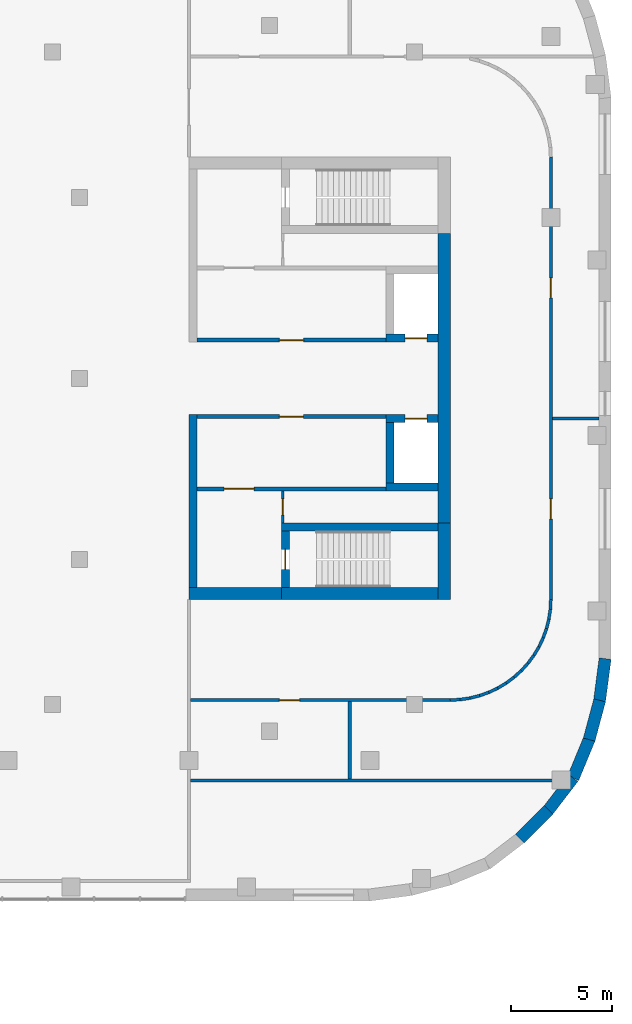
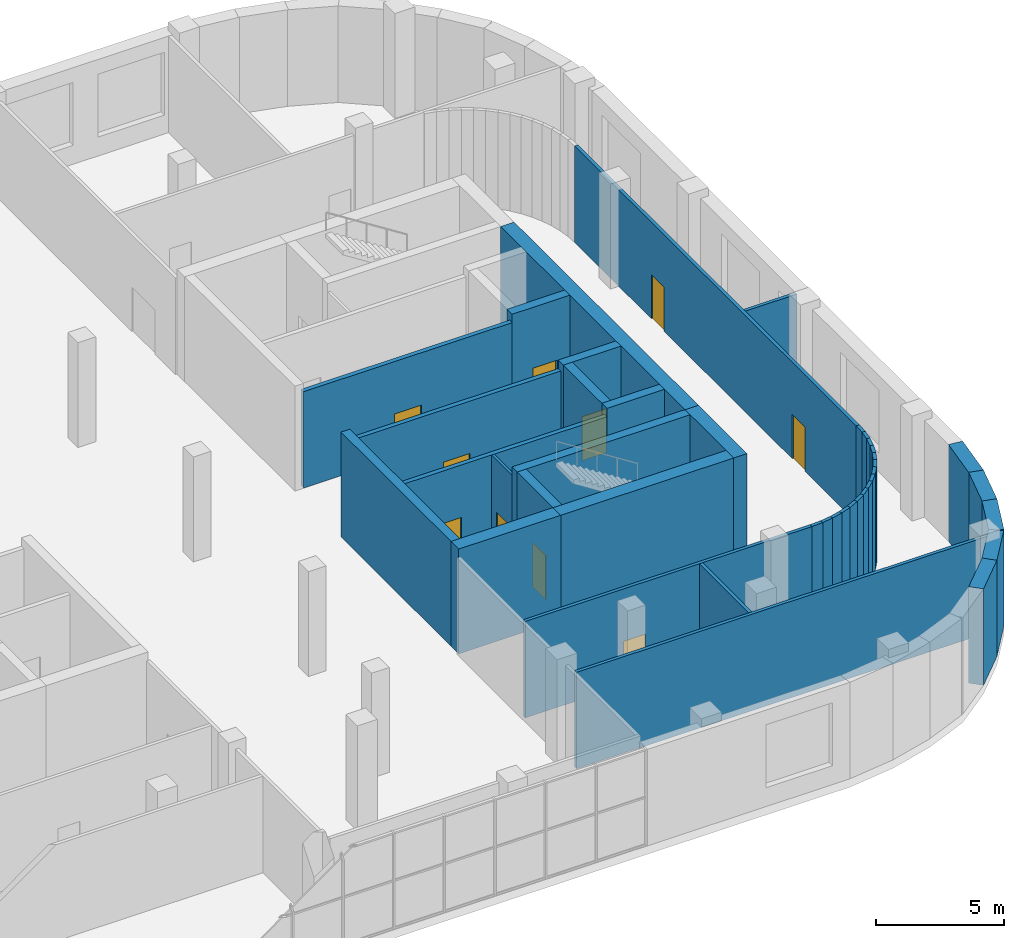
# One storey, part 20 of 25: 41 walls, 10 doors, 10 openings.
"""IFC4 building model written with IfcOpenShell, lengths in metres."""

from ifc_helpers import new_model, si_unit, direction, frame, frame_2d, origin, place, context, subcontext, project, spatial, rectangle, extrude, material, layer, layer_set, type_object, element, fill, save


model = new_model("IFC4")

# Units and contexts
model_context = context("Model", 3, precision=1e-05, world=origin(), true_north=direction((0.0, 1.0)))
body_context = subcontext(model_context, "Body", "Model", "MODEL_VIEW")
ifc_project = project(units=[si_unit("LENGTHUNIT", "METRE"), si_unit("AREAUNIT", "SQUARE_METRE"), si_unit("VOLUMEUNIT", "CUBIC_METRE"), si_unit("PLANEANGLEUNIT", "RADIAN"), si_unit("MASSUNIT", "GRAM", prefix="KILO")], contexts=[model_context])

# Site, building, storey
site_placement = place(None, origin())
site = spatial("IfcSite", under=ifc_project, at=site_placement, CompositionType="ELEMENT")
building_placement = place(site_placement, origin())
building = spatial("IfcBuilding", under=site, at=building_placement, Name="Skarvind Civic Tower", CompositionType="ELEMENT")
storey_placement = place(building_placement, frame((0.0, 0.0, 7.5)))
storey = spatial("IfcBuildingStorey", under=building, at=storey_placement, Name="L01", CompositionType="ELEMENT", Elevation=7.5)

# Wall, opening, door
ifc_material_1 = material(Name="Fire-rated masonry partition", Category="masonry")
ifc_layer_1 = layer(ifc_material_1, 0.199951171875)
ifc_layer_set_1 = layer_set([ifc_layer_1], Name="Core enclosure wall 200")
wall_type_1 = type_object("IfcWallType", Name="Core enclosure wall 200", PredefinedType="PARTITIONING", material=ifc_layer_set_1)
wall_1_placement = place(storey_placement, frame((163.800048828125, 126.10009765625, 0.0), z_axis=(0.0, 0.0, 1.0), x_axis=(-1.0, 0.0, 0.0)))
wall_1 = element("IfcWall", 1, at=wall_1_placement, inside=storey, type_object=wall_type_1, Name="Core wall CB", PredefinedType="PARTITIONING", context=body_context, shape_type="SweptSolid", body=[
    extrude(rectangle(XDim=9.400146484375, YDim=0.199951171875, at=frame_2d((4.7001953125, 0.0))), origin(), (0.0, 0.0, 1.0), 4.60009765625),
])
opening_1_placement = place(wall_1_placement, frame((4.10009765625, 0.0, 0.0)))
opening_1 = element("IfcOpeningElement", 2, at=opening_1_placement, cuts=wall_1, Name="Opening D-L01-CB-03", PredefinedType="OPENING", context=body_context, shape_type="SweptSolid", body=[
    extrude(rectangle(XDim=1.199951171875, YDim=2.10009765625, at=frame_2d((0.60009765625, 1.050048828125))), frame((0.0, 0.10986328125, 0.0), z_axis=(0.0, -1.0, 0.0), x_axis=(1.0, 0.0, 0.0)), (0.0, 0.0, 1.0), 0.219970703125),
])
ifc_material_2 = material(Name="Fire-rated steel door", Category="steel")
door_type_1 = type_object("IfcDoorType", Name="Core lobby door 1200", OperationType="NOTDEFINED", PredefinedType="DOOR", material=ifc_material_2)
door_1_placement = place(opening_1_placement, origin())
door_1 = element("IfcDoor", 3, at=door_1_placement, inside=storey, type_object=door_type_1, Name="Fire door", OperationType="DOUBLE_DOOR_SINGLE_SWING", OverallHeight=2.10009765625, OverallWidth=1.199951171875, PredefinedType="DOOR", context=body_context, shape_type="SweptSolid", body=[
    extrude(rectangle(XDim=1.199951171875, YDim=2.10009765625, at=frame_2d((0.60009765625, 1.050048828125))), frame((0.0, 0.02490234375, 0.0), z_axis=(0.0, -1.0, 0.0), x_axis=(1.0, 0.0, 0.0)), (0.0, 0.0, 1.0), 0.050048828125),
])
fill(opening_1, door_1)

wall_2_placement = place(storey_placement, frame((163.800048828125, 122.5, 0.0), z_axis=(0.0, 0.0, 1.0), x_axis=(-1.0, 0.0, 0.0)))
wall_2 = element("IfcWall", 4, at=wall_2_placement, inside=storey, type_object=wall_type_1, Name="Core wall CB", PredefinedType="PARTITIONING", context=body_context, shape_type="SweptSolid", body=[
    extrude(rectangle(XDim=9.400146484375, YDim=0.199951171875, at=frame_2d((4.7001953125, 0.0))), origin(), (0.0, 0.0, 1.0), 4.60009765625),
])
opening_2_placement = place(wall_2_placement, frame((6.550048828125, 0.0, 0.0)))
opening_2 = element("IfcOpeningElement", 5, at=opening_2_placement, cuts=wall_2, Name="Opening D-L01-CB-04", PredefinedType="OPENING", context=body_context, shape_type="SweptSolid", body=[
    extrude(rectangle(XDim=1.5, YDim=2.10009765625, at=frame_2d((0.75, 1.050048828125))), frame((0.0, 0.10986328125, 0.0), z_axis=(0.0, -1.0, 0.0), x_axis=(1.0, 0.0, 0.0)), (0.0, 0.0, 1.0), 0.219970703125),
])
door_type_2 = type_object("IfcDoorType", Name="Fire door 1500", OperationType="NOTDEFINED", PredefinedType="DOOR", material=ifc_material_2)
door_2_placement = place(opening_2_placement, origin())
door_2 = element("IfcDoor", 6, at=door_2_placement, inside=storey, type_object=door_type_2, Name="Fire door", OperationType="DOUBLE_DOOR_SINGLE_SWING", OverallHeight=2.10009765625, OverallWidth=1.5, PredefinedType="DOOR", context=body_context, shape_type="SweptSolid", body=[
    extrude(rectangle(XDim=1.5, YDim=2.10009765625, at=frame_2d((0.75, 1.050048828125))), frame((0.0, 0.02490234375, 0.0), z_axis=(0.0, -1.0, 0.0), x_axis=(1.0, 0.0, 0.0)), (0.0, 0.0, 1.0), 0.050048828125),
])
fill(opening_2, door_2)

wall_3_placement = place(storey_placement, frame((154.39990234375, 129.89990234375, 0.0), z_axis=(0.0, 0.0, 1.0), x_axis=(1.0, 0.0, 0.0)))
wall_3 = element("IfcWall", 7, at=wall_3_placement, inside=storey, type_object=wall_type_1, Name="Core wall CB", PredefinedType="PARTITIONING", context=body_context, shape_type="SweptSolid", body=[
    extrude(rectangle(XDim=9.400146484375, YDim=0.199951171875, at=frame_2d((4.7001953125, 0.0))), origin(), (0.0, 0.0, 1.0), 4.60009765625),
])
opening_3_placement = place(wall_3_placement, frame((4.10009765625, 0.0, 0.0)))
opening_3 = element("IfcOpeningElement", 8, at=opening_3_placement, cuts=wall_3, Name="Opening D-L01-CB-07", PredefinedType="OPENING", context=body_context, shape_type="SweptSolid", body=[
    extrude(rectangle(XDim=1.199951171875, YDim=2.10009765625, at=frame_2d((0.60009765625, 1.050048828125))), frame((0.0, 0.10986328125, 0.0), z_axis=(0.0, -1.0, 0.0), x_axis=(1.0, 0.0, 0.0)), (0.0, 0.0, 1.0), 0.219970703125),
])
door_3_placement = place(opening_3_placement, origin())
door_3 = element("IfcDoor", 9, at=door_3_placement, inside=storey, type_object=door_type_1, Name="Fire door", OperationType="DOUBLE_DOOR_SINGLE_SWING", OverallHeight=2.10009765625, OverallWidth=1.199951171875, PredefinedType="DOOR", context=body_context, shape_type="SweptSolid", body=[
    extrude(rectangle(XDim=1.199951171875, YDim=2.10009765625, at=frame_2d((0.60009765625, 1.050048828125))), frame((0.0, 0.02490234375, 0.0), z_axis=(0.0, -1.0, 0.0), x_axis=(1.0, 0.0, 0.0)), (0.0, 0.0, 1.0), 0.050048828125),
])
fill(opening_3, door_3)

# Wall
ifc_material_3 = material(Name="Concrete C80", Category="concrete")
ifc_layer_2 = layer(ifc_material_3, 0.39990234375)
ifc_layer_set_2 = layer_set([ifc_layer_2], Name="Core wall 400 C80")
wall_type_2 = type_object("IfcWallType", Name="Core wall 400 C80", PredefinedType="SHEAR", material=ifc_layer_set_2)
wall_4_placement = place(storey_placement, frame((166.39990234375, 120.60009765625, 0.0), z_axis=(0.0, 0.0, 1.0), x_axis=(-1.0, 0.0, 0.0)))
element("IfcWall", 10, at=wall_4_placement, inside=storey, type_object=wall_type_2, Name="Core wall CB north stair inner L01", PredefinedType="SHEAR", context=body_context, shape_type="SweptSolid", body=[
    extrude(rectangle(XDim=7.7998046875, YDim=0.39990234375, at=frame_2d((3.89990234375, 0.0))), origin(), (0.0, 0.0, 1.0), 5.0),
])

# Wall, opening, door
wall_5_placement = place(storey_placement, frame((158.800048828125, 120.39990234375, 0.0), z_axis=(0.0, 0.0, 1.0), x_axis=(0.0, -1.0, 0.0)))
wall_5 = element("IfcWall", 11, at=wall_5_placement, inside=storey, type_object=wall_type_2, Name="Core wall CB north stair end L01", PredefinedType="SHEAR", context=body_context, shape_type="SweptSolid", body=[
    extrude(rectangle(XDim=2.7998046875, YDim=0.39990234375, at=frame_2d((1.39990234375, 0.0))), origin(), (0.0, 0.0, 1.0), 5.0),
])
opening_4_placement = place(wall_5_placement, frame((0.89990234375, 0.0, 0.0)))
opening_4 = element("IfcOpeningElement", 12, at=opening_4_placement, cuts=wall_5, Name="Opening D-L01-CB-05", PredefinedType="OPENING", context=body_context, shape_type="SweptSolid", body=[
    extrude(rectangle(XDim=1.0, YDim=2.10009765625, at=frame_2d((0.5, 1.050048828125))), frame((0.0, 0.2099609375, 0.0), z_axis=(0.0, -1.0, 0.0), x_axis=(1.0, 0.0, 0.0)), (0.0, 0.0, 1.0), 0.419921875),
])
door_type_3 = type_object("IfcDoorType", Name="Fire door 1000", OperationType="NOTDEFINED", PredefinedType="DOOR", material=ifc_material_2)
door_4_placement = place(opening_4_placement, origin())
door_4 = element("IfcDoor", 13, at=door_4_placement, inside=storey, type_object=door_type_3, Name="Fire door", OperationType="SINGLE_SWING_LEFT", OverallHeight=2.10009765625, OverallWidth=1.0, PredefinedType="DOOR", context=body_context, shape_type="SweptSolid", body=[
    extrude(rectangle(XDim=1.0, YDim=2.10009765625, at=frame_2d((0.5, 1.050048828125))), frame((0.0, 0.02490234375, 0.0), z_axis=(0.0, -1.0, 0.0), x_axis=(1.0, 0.0, 0.0)), (0.0, 0.0, 1.0), 0.050048828125),
])
fill(opening_4, door_4)

wall_6_placement = place(storey_placement, frame((166.39990234375, 130.0, 0.0), z_axis=(0.0, 0.0, 1.0), x_axis=(-1.0, 0.0, 0.0)))
wall_6 = element("IfcWall", 14, at=wall_6_placement, inside=storey, type_object=wall_type_2, Name="Core wall CB south lift row front L01", PredefinedType="SHEAR", context=body_context, shape_type="SweptSolid", body=[
    extrude(rectangle(XDim=2.599853515625, YDim=0.39990234375, at=frame_2d((1.2998046875, 0.0))), origin(), (0.0, 0.0, 1.0), 5.0),
])
opening_5_placement = place(wall_6_placement, frame((0.550048828125, 0.0, 0.0)))
opening_5 = element("IfcOpeningElement", 15, at=opening_5_placement, cuts=wall_6, Name="Opening LD03402", PredefinedType="OPENING", context=body_context, shape_type="SweptSolid", body=[
    extrude(rectangle(XDim=1.10009765625, YDim=2.10009765625, at=frame_2d((0.550048828125, 1.050048828125))), frame((0.0, 0.2099609375, 0.0), z_axis=(0.0, -1.0, 0.0), x_axis=(1.0, 0.0, 0.0)), (0.0, 0.0, 1.0), 0.419921875),
])
ifc_material_4 = material(Name="Stainless steel landing door", Category="steel")
door_type_4 = type_object("IfcDoorType", Name="Lift landing door 1100", OperationType="DOUBLE_DOOR_SLIDING", PredefinedType="DOOR", material=ifc_material_4)
door_5_placement = place(opening_5_placement, origin())
door_5 = element("IfcDoor", 16, at=door_5_placement, inside=storey, type_object=door_type_4, Name="Lift landing door", OperationType="DOUBLE_DOOR_SLIDING", OverallHeight=2.10009765625, OverallWidth=1.10009765625, PredefinedType="DOOR", context=body_context, shape_type="SweptSolid", body=[
    extrude(rectangle(XDim=1.10009765625, YDim=2.10009765625, at=frame_2d((0.550048828125, 1.050048828125))), frame((0.0, 0.02490234375, 0.0), z_axis=(0.0, -1.0, 0.0), x_axis=(1.0, 0.0, 0.0)), (0.0, 0.0, 1.0), 0.050048828125),
])
fill(opening_5, door_5)

wall_7_placement = place(storey_placement, frame((166.39990234375, 126.0, 0.0), z_axis=(0.0, 0.0, 1.0), x_axis=(-1.0, 0.0, 0.0)))
wall_7 = element("IfcWall", 17, at=wall_7_placement, inside=storey, type_object=wall_type_2, Name="Core wall CB north lift row front L01", PredefinedType="SHEAR", context=body_context, shape_type="SweptSolid", body=[
    extrude(rectangle(XDim=2.599853515625, YDim=0.39990234375, at=frame_2d((1.2998046875, 0.0))), origin(), (0.0, 0.0, 1.0), 5.0),
])
opening_6_placement = place(wall_7_placement, frame((0.550048828125, 0.0, 0.0)))
opening_6 = element("IfcOpeningElement", 18, at=opening_6_placement, cuts=wall_7, Name="Opening LD03401", PredefinedType="OPENING", context=body_context, shape_type="SweptSolid", body=[
    extrude(rectangle(XDim=1.10009765625, YDim=2.10009765625, at=frame_2d((0.550048828125, 1.050048828125))), frame((0.0, 0.2099609375, 0.0), z_axis=(0.0, -1.0, 0.0), x_axis=(1.0, 0.0, 0.0)), (0.0, 0.0, 1.0), 0.419921875),
])
door_6_placement = place(opening_6_placement, origin())
door_6 = element("IfcDoor", 19, at=door_6_placement, inside=storey, type_object=door_type_4, Name="Lift landing door", OperationType="DOUBLE_DOOR_SLIDING", OverallHeight=2.10009765625, OverallWidth=1.10009765625, PredefinedType="DOOR", context=body_context, shape_type="SweptSolid", body=[
    extrude(rectangle(XDim=1.10009765625, YDim=2.10009765625, at=frame_2d((0.550048828125, 1.050048828125))), frame((0.0, 0.02490234375, 0.0), z_axis=(0.0, -1.0, 0.0), x_axis=(1.0, 0.0, 0.0)), (0.0, 0.0, 1.0), 0.050048828125),
])
fill(opening_6, door_6)

# Walls
wall_8_placement = place(storey_placement, frame((166.39990234375, 122.60009765625, 0.0), z_axis=(0.0, 0.0, 1.0), x_axis=(-1.0, 0.0, 0.0)))
element("IfcWall", 20, at=wall_8_placement, inside=storey, type_object=wall_type_2, Name="Core wall CB north lift row back L01", PredefinedType="SHEAR", context=body_context, shape_type="SweptSolid", body=[
    extrude(rectangle(XDim=2.599853515625, YDim=0.39990234375, at=frame_2d((1.2998046875, 0.0))), origin(), (0.0, 0.0, 1.0), 5.0),
])
wall_9_placement = place(storey_placement, frame((164.0, 125.800048828125, 0.0), z_axis=(0.0, 0.0, 1.0), x_axis=(0.0, -1.0, 0.0)))
element("IfcWall", 21, at=wall_9_placement, inside=storey, type_object=wall_type_2, Name="Core wall CB north lift row division 1 L01", PredefinedType="SHEAR", context=body_context, shape_type="SweptSolid", body=[
    extrude(rectangle(XDim=3.0, YDim=0.39990234375, at=frame_2d((1.5, 0.0))), origin(), (0.0, 0.0, 1.0), 5.0),
])
wall_10_placement = place(storey_placement, frame((154.199951171875, 126.199951171875, 0.0), z_axis=(0.0, 0.0, 1.0), x_axis=(0.0, -1.0, 0.0)))
element("IfcWall", 22, at=wall_10_placement, inside=storey, type_object=wall_type_2, Name="Core wall CB north inner face L01", PredefinedType="SHEAR", context=body_context, shape_type="SweptSolid", body=[
    extrude(rectangle(XDim=8.599853515625, YDim=0.39990234375, at=frame_2d((4.2998046875, 0.0))), origin(), (0.0, 0.0, 1.0), 5.0),
])
ifc_layer_3 = layer(ifc_material_3, 0.60009765625)
ifc_layer_set_3 = layer_set([ifc_layer_3], Name="Core wall 600 C80")
wall_type_3 = type_object("IfcWallType", Name="Core wall 600 C80", PredefinedType="SHEAR", material=ifc_layer_set_3)
wall_11_placement = place(storey_placement, frame((166.699951171875, 135.199951171875, 0.0), z_axis=(0.0, 0.0, 1.0), x_axis=(0.0, -1.0, 0.0)))
element("IfcWall", 23, at=wall_11_placement, inside=storey, type_object=wall_type_3, Name="Core wall CB tip between the stairs L01", PredefinedType="SHEAR", context=body_context, shape_type="SweptSolid", body=[
    extrude(rectangle(XDim=14.39990234375, YDim=0.60009765625, at=frame_2d((7.199951171875, 0.0))), origin(), (0.0, 0.0, 1.0), 5.0),
])
wall_12_placement = place(storey_placement, frame((166.699951171875, 120.800048828125, 0.0), z_axis=(0.0, 0.0, 1.0), x_axis=(0.0, -1.0, 0.0)))
element("IfcWall", 24, at=wall_12_placement, inside=storey, type_object=wall_type_3, Name="Core wall CB tip at the north stair L01", PredefinedType="SHEAR", context=body_context, shape_type="SweptSolid", body=[
    extrude(rectangle(XDim=3.800048828125, YDim=0.60009765625, at=frame_2d((1.89990234375, 0.0))), origin(), (0.0, 0.0, 1.0), 5.0),
])
wall_13_placement = place(storey_placement, frame((166.39990234375, 117.300048828125, 0.0), z_axis=(0.0, 0.0, 1.0), x_axis=(-1.0, 0.0, 0.0)))
element("IfcWall", 25, at=wall_13_placement, inside=storey, type_object=wall_type_3, Name="Core wall CB north side at the stair L01", PredefinedType="SHEAR", context=body_context, shape_type="SweptSolid", body=[
    extrude(rectangle(XDim=7.7998046875, YDim=0.60009765625, at=frame_2d((3.89990234375, 0.0))), origin(), (0.0, 0.0, 1.0), 5.0),
])
wall_14_placement = place(storey_placement, frame((158.60009765625, 117.300048828125, 0.0), z_axis=(0.0, 0.0, 1.0), x_axis=(-1.0, 0.0, 0.0)))
element("IfcWall", 26, at=wall_14_placement, inside=storey, type_object=wall_type_3, Name="Core wall CB north side L01", PredefinedType="SHEAR", context=body_context, shape_type="SweptSolid", body=[
    extrude(rectangle(XDim=4.60009765625, YDim=0.60009765625, at=frame_2d((2.300048828125, 0.0))), origin(), (0.0, 0.0, 1.0), 5.0),
])
ifc_material_5 = material(Name="Plasterboard partition on steel studs", Category="steel")
ifc_layer_4 = layer(ifc_material_5, 0.14990234375)
ifc_layer_set_4 = layer_set([ifc_layer_4], Name="PARTITION 150")
wall_type_4 = type_object("IfcWallType", Name="PARTITION 150", PredefinedType="PARTITIONING", material=ifc_layer_set_4)
wall_15_placement = place(storey_placement, frame((154.074951171875, 108.0, 0.0), z_axis=(0.0, 0.0, 1.0), x_axis=(1.0, 0.0, 0.0)))
element("IfcWall", 27, at=wall_15_placement, inside=storey, type_object=wall_type_4, Name="Podium partition L01 239", PredefinedType="PARTITIONING", context=body_context, shape_type="SweptSolid", body=[
    extrude(rectangle(XDim=18.55712890625, YDim=0.14990234375, at=frame_2d((9.278564453125, 0.0))), origin(), (0.0, 0.0, 1.0), 4.60009765625),
])

# Wall, opening, door
wall_16_placement = place(storey_placement, frame((167.001953125, 112.0, 0.0), z_axis=(0.0, 0.0, 1.0), x_axis=(-1.0, 0.0, 0.0)))
wall_16 = element("IfcWall", 28, at=wall_16_placement, inside=storey, type_object=wall_type_4, Name="Podium partition L01 240", PredefinedType="PARTITIONING", context=body_context, shape_type="SweptSolid", body=[
    extrude(rectangle(XDim=12.927001953125, YDim=0.14990234375, at=frame_2d((6.46337890625, 0.0))), origin(), (0.0, 0.0, 1.0), 4.60009765625),
])
opening_7_placement = place(wall_16_placement, frame((7.5, 0.0, 0.0)))
opening_7 = element("IfcOpeningElement", 29, at=opening_7_placement, cuts=wall_16, Name="Opening L01-D233", PredefinedType="OPENING", context=body_context, shape_type="SweptSolid", body=[
    extrude(rectangle(XDim=1.0, YDim=2.10009765625, at=frame_2d((0.5, 1.050048828125))), frame((0.0, 0.0849609375, 0.0), z_axis=(0.0, -1.0, 0.0), x_axis=(1.0, 0.0, 0.0)), (0.0, 0.0, 1.0), 0.169921875),
])
ifc_material_6 = material(Name="Timber veneer door leaf", Category="wood")
door_type_5 = type_object("IfcDoorType", Name="DOOR 1000X2100 TIMBER", OperationType="NOTDEFINED", PredefinedType="DOOR", material=ifc_material_6)
door_7_placement = place(opening_7_placement, origin())
door_7 = element("IfcDoor", 30, at=door_7_placement, inside=storey, type_object=door_type_5, Name="DOOR DOOR", OperationType="SINGLE_SWING_LEFT", OverallHeight=2.10009765625, OverallWidth=1.0, PredefinedType="DOOR", context=body_context, shape_type="SweptSolid", body=[
    extrude(rectangle(XDim=1.0, YDim=2.10009765625, at=frame_2d((0.5, 1.050048828125))), frame((0.0, 0.02490234375, 0.0), z_axis=(0.0, -1.0, 0.0), x_axis=(1.0, 0.0, 0.0)), (0.0, 0.0, 1.0), 0.050048828125),
])
fill(opening_7, door_7)

# Walls
wall_17_placement = place(storey_placement, frame((162.0, 108.074951171875, 0.0), z_axis=(0.0, 0.0, 1.0), x_axis=(0.0, 1.0, 0.0)))
element("IfcWall", 31, at=wall_17_placement, inside=storey, type_object=wall_type_4, Name="Podium partition L01 243", PredefinedType="PARTITIONING", context=body_context, shape_type="SweptSolid", body=[
    extrude(rectangle(XDim=3.85009765625, YDim=0.14990234375, at=frame_2d((1.925048828125, 0.0))), origin(), (0.0, 0.0, 1.0), 4.60009765625),
])
wall_18_placement = place(storey_placement, frame((166.998046875, 112.0, 0.0), z_axis=(0.0, 0.0, 1.0), x_axis=(0.998837896651, 0.048196018647, 0.0)))
element("IfcWall", 32, at=wall_18_placement, inside=storey, type_object=wall_type_4, Name="Podium partition L01 245", PredefinedType="PARTITIONING", context=body_context, shape_type="SweptSolid", body=[
    extrude(rectangle(XDim=0.496337890625, YDim=0.14990234375, at=frame_2d((0.248046875, 0.0))), origin(), (0.0, 0.0, 1.0), 4.60009765625),
])
wall_19_placement = place(storey_placement, frame((167.486083984375, 112.02294921875, 0.0), z_axis=(0.0, 0.0, 1.0), x_axis=(0.988925572052, 0.148412307247, 0.0)))
element("IfcWall", 33, at=wall_19_placement, inside=storey, type_object=wall_type_4, Name="Podium partition L01 248", PredefinedType="PARTITIONING", context=body_context, shape_type="SweptSolid", body=[
    extrude(rectangle(XDim=0.49853515625, YDim=0.14990234375, at=frame_2d((0.249267578125, 0.0))), origin(), (0.0, 0.0, 1.0), 4.60009765625),
])
wall_20_placement = place(storey_placement, frame((167.970947265625, 112.094970703125, 0.0), z_axis=(0.0, 0.0, 1.0), x_axis=(0.970113715952, 0.242650732785, 0.0)))
element("IfcWall", 34, at=wall_20_placement, inside=storey, type_object=wall_type_4, Name="Podium partition L01 250", PredefinedType="PARTITIONING", context=body_context, shape_type="SweptSolid", body=[
    extrude(rectangle(XDim=0.4990234375, YDim=0.14990234375, at=frame_2d((0.24951171875, 0.0))), origin(), (0.0, 0.0, 1.0), 4.60009765625),
])
for number, where, z_axis, x_axis, name in (
    (35, (168.447021484375, 112.214111328125, 0.0), (0.0, 0.0, 1.0), (0.941442168887, 0.3371744988, 0.0), "Podium partition L01 252"),
    (36, (168.909912109375, 112.37890625, 0.0), (0.0, 0.0, 1.0), (0.903827641978, 0.427896709028, 0.0), "Podium partition L01 254"),
):
    element("IfcWall", number, at=place(storey_placement, frame(where, z_axis=z_axis, x_axis=x_axis)), inside=storey, type_object=wall_type_4, Name=name, PredefinedType="PARTITIONING", context=body_context, shape_type="SweptSolid", body=[
        extrude(rectangle(XDim=0.498046875, YDim=0.14990234375, at=frame_2d((0.2490234375, 0.0))), origin(), (0.0, 0.0, 1.0), 4.60009765625),
    ])
wall_21_placement = place(storey_placement, frame((169.35400390625, 112.587890625, 0.0), z_axis=(0.0, 0.0, 1.0), x_axis=(0.85671397893, 0.515791778052, 0.0)))
element("IfcWall", 37, at=wall_21_placement, inside=storey, type_object=wall_type_4, Name="Podium partition L01 256", PredefinedType="PARTITIONING", context=body_context, shape_type="SweptSolid", body=[
    extrude(rectangle(XDim=0.49853515625, YDim=0.14990234375, at=frame_2d((0.249267578125, 0.0))), origin(), (0.0, 0.0, 1.0), 4.60009765625),
])
wall_22_placement = place(storey_placement, frame((169.77490234375, 112.841064453125, 0.0), z_axis=(0.0, 0.0, 1.0), x_axis=(0.80404358372, 0.594570362092, 0.0)))
element("IfcWall", 38, at=wall_22_placement, inside=storey, type_object=wall_type_4, Name="Podium partition L01 258", PredefinedType="PARTITIONING", context=body_context, shape_type="SweptSolid", body=[
    extrude(rectangle(XDim=0.49755859375, YDim=0.14990234375, at=frame_2d((0.248779296875, 0.0))), origin(), (0.0, 0.0, 1.0), 4.60009765625),
])
for number, where, z_axis, x_axis, name in (
    (39, (170.1689453125, 113.133056640625, 0.0), (0.0, 0.0, 1.0), (0.742416880587, 0.66993818776, 0.0), "Podium partition L01 260"),
    (40, (170.532958984375, 113.4609375, 0.0), (0.0, 0.0, 1.0), (0.66993818776, 0.742416880587, 0.0), "Podium partition L01 262"),
):
    element("IfcWall", number, at=place(storey_placement, frame(where, z_axis=z_axis, x_axis=x_axis)), inside=storey, type_object=wall_type_4, Name=name, PredefinedType="PARTITIONING", context=body_context, shape_type="SweptSolid", body=[
        extrude(rectangle(XDim=0.49853515625, YDim=0.14990234375, at=frame_2d((0.249267578125, 0.0))), origin(), (0.0, 0.0, 1.0), 4.60009765625),
    ])
wall_23_placement = place(storey_placement, frame((170.863037109375, 113.824951171875, 0.0), z_axis=(0.0, 0.0, 1.0), x_axis=(0.594570362092, 0.80404358372, 0.0)))
element("IfcWall", 41, at=wall_23_placement, inside=storey, type_object=wall_type_4, Name="Podium partition L01 264", PredefinedType="PARTITIONING", context=body_context, shape_type="SweptSolid", body=[
    extrude(rectangle(XDim=0.49755859375, YDim=0.14990234375, at=frame_2d((0.248779296875, 0.0))), origin(), (0.0, 0.0, 1.0), 4.60009765625),
])
wall_24_placement = place(storey_placement, frame((171.155029296875, 114.218994140625, 0.0), z_axis=(0.0, 0.0, 1.0), x_axis=(0.515791778052, 0.85671397893, 0.0)))
element("IfcWall", 42, at=wall_24_placement, inside=storey, type_object=wall_type_4, Name="Podium partition L01 266", PredefinedType="PARTITIONING", context=body_context, shape_type="SweptSolid", body=[
    extrude(rectangle(XDim=0.49853515625, YDim=0.14990234375, at=frame_2d((0.249267578125, 0.0))), origin(), (0.0, 0.0, 1.0), 4.60009765625),
])
for number, where, z_axis, x_axis, name in (
    (43, (171.407958984375, 114.639892578125, 0.0), (0.0, 0.0, 1.0), (0.427896709028, 0.903827641978, 0.0), "Podium partition L01 268"),
    (44, (171.617919921875, 115.083984375, 0.0), (0.0, 0.0, 1.0), (0.3371744988, 0.941442168887, 0.0), "Podium partition L01 270"),
):
    element("IfcWall", number, at=place(storey_placement, frame(where, z_axis=z_axis, x_axis=x_axis)), inside=storey, type_object=wall_type_4, Name=name, PredefinedType="PARTITIONING", context=body_context, shape_type="SweptSolid", body=[
        extrude(rectangle(XDim=0.498046875, YDim=0.14990234375, at=frame_2d((0.2490234375, 0.0))), origin(), (0.0, 0.0, 1.0), 4.60009765625),
    ])
wall_25_placement = place(storey_placement, frame((171.783935546875, 115.544921875, 0.0), z_axis=(0.0, 0.0, 1.0), x_axis=(0.242650732785, 0.970113715952, 0.0)))
element("IfcWall", 45, at=wall_25_placement, inside=storey, type_object=wall_type_4, Name="Podium partition L01 272", PredefinedType="PARTITIONING", context=body_context, shape_type="SweptSolid", body=[
    extrude(rectangle(XDim=0.4990234375, YDim=0.14990234375, at=frame_2d((0.24951171875, 0.0))), origin(), (0.0, 0.0, 1.0), 4.60009765625),
])
wall_26_placement = place(storey_placement, frame((171.903076171875, 116.02099609375, 0.0), z_axis=(0.0, 0.0, 1.0), x_axis=(0.148412307247, 0.988925572052, 0.0)))
element("IfcWall", 46, at=wall_26_placement, inside=storey, type_object=wall_type_4, Name="Podium partition L01 274", PredefinedType="PARTITIONING", context=body_context, shape_type="SweptSolid", body=[
    extrude(rectangle(XDim=0.49853515625, YDim=0.14990234375, at=frame_2d((0.249267578125, 0.0))), origin(), (0.0, 0.0, 1.0), 4.60009765625),
])
wall_27_placement = place(storey_placement, frame((171.97607421875, 116.506103515625, 0.0), z_axis=(0.0, 0.0, 1.0), x_axis=(0.048196018647, 0.998837896651, 0.0)))
element("IfcWall", 47, at=wall_27_placement, inside=storey, type_object=wall_type_4, Name="Podium partition L01 276", PredefinedType="PARTITIONING", context=body_context, shape_type="SweptSolid", body=[
    extrude(rectangle(XDim=0.496337890625, YDim=0.14990234375, at=frame_2d((0.248046875, 0.0))), origin(), (0.0, 0.0, 1.0), 4.60009765625),
])

# Wall, openings, doors
wall_28_placement = place(storey_placement, frame((172.0, 139.001953125, 0.0), z_axis=(0.0, 0.0, 1.0), x_axis=(0.0, -1.0, 0.0)))
wall_28 = element("IfcWall", 48, at=wall_28_placement, inside=storey, type_object=wall_type_4, Name="Podium partition L01 278", PredefinedType="PARTITIONING", context=body_context, shape_type="SweptSolid", body=[
    extrude(rectangle(XDim=22.00390625, YDim=0.14990234375, at=frame_2d((11.001953125, 0.0))), origin(), (0.0, 0.0, 1.0), 4.60009765625),
])
opening_8_placement = place(wall_28_placement, frame((17.0, 0.0, 0.0)))
opening_8 = element("IfcOpeningElement", 49, at=opening_8_placement, cuts=wall_28, Name="Opening L01-D235", PredefinedType="OPENING", context=body_context, shape_type="SweptSolid", body=[
    extrude(rectangle(XDim=1.0, YDim=2.10009765625, at=frame_2d((0.5, 1.050048828125))), frame((0.0, 0.0849609375, 0.0), z_axis=(0.0, -1.0, 0.0), x_axis=(1.0, 0.0, 0.0)), (0.0, 0.0, 1.0), 0.169921875),
])
opening_9_placement = place(wall_28_placement, frame((6.00390625, 0.0, 0.0)))
opening_9 = element("IfcOpeningElement", 50, at=opening_9_placement, cuts=wall_28, Name="Opening L01-D236", PredefinedType="OPENING", context=body_context, shape_type="SweptSolid", body=[
    extrude(rectangle(XDim=1.0, YDim=2.10009765625, at=frame_2d((0.5, 1.050048828125))), frame((0.0, 0.0849609375, 0.0), z_axis=(0.0, -1.0, 0.0), x_axis=(1.0, 0.0, 0.0)), (0.0, 0.0, 1.0), 0.169921875),
])
door_8_placement = place(opening_8_placement, origin())
door_8 = element("IfcDoor", 51, at=door_8_placement, inside=storey, type_object=door_type_5, Name="DOOR DOOR", OperationType="SINGLE_SWING_LEFT", OverallHeight=2.10009765625, OverallWidth=1.0, PredefinedType="DOOR", context=body_context, shape_type="SweptSolid", body=[
    extrude(rectangle(XDim=1.0, YDim=2.10009765625, at=frame_2d((0.5, 1.050048828125))), frame((0.0, 0.02490234375, 0.0), z_axis=(0.0, -1.0, 0.0), x_axis=(1.0, 0.0, 0.0)), (0.0, 0.0, 1.0), 0.050048828125),
])
fill(opening_8, door_8)
door_9_placement = place(opening_9_placement, origin())
door_9 = element("IfcDoor", 52, at=door_9_placement, inside=storey, type_object=door_type_5, Name="DOOR DOOR", OperationType="SINGLE_SWING_RIGHT", OverallHeight=2.10009765625, OverallWidth=1.0, PredefinedType="DOOR", context=body_context, shape_type="SweptSolid", body=[
    extrude(rectangle(XDim=1.0, YDim=2.10009765625, at=frame_2d((0.5, 1.050048828125))), frame((0.0, 0.02490234375, 0.0), z_axis=(0.0, -1.0, 0.0), x_axis=(1.0, 0.0, 0.0)), (0.0, 0.0, 1.0), 0.050048828125),
])
fill(opening_9, door_9)

# Wall
wall_29_placement = place(storey_placement, frame((172.074951171875, 126.0, 0.0), z_axis=(0.0, 0.0, 1.0), x_axis=(1.0, 0.0, 0.0)))
element("IfcWall", 53, at=wall_29_placement, inside=storey, type_object=wall_type_4, Name="Podium partition L01 279", PredefinedType="PARTITIONING", context=body_context, shape_type="SweptSolid", body=[
    extrude(rectangle(XDim=2.324951171875, YDim=0.14990234375, at=frame_2d((1.16259765625, 0.0))), origin(), (0.0, 0.0, 1.0), 4.60009765625),
])

# Wall, opening, door
ifc_layer_5 = layer(ifc_material_1, 0.125)
ifc_layer_set_5 = layer_set([ifc_layer_5], Name="Riser wall 125")
wall_type_5 = type_object("IfcWallType", Name="Riser wall 125", PredefinedType="PARTITIONING", material=ifc_layer_set_5)
wall_30_placement = place(storey_placement, frame((158.66259765625, 120.800048828125, 0.0), z_axis=(0.0, 0.0, 1.0), x_axis=(0.0, 1.0, 0.0)))
wall_30 = element("IfcWall", 54, at=wall_30_placement, inside=storey, type_object=wall_type_5, Name="Core wall CB", PredefinedType="PARTITIONING", context=body_context, shape_type="SweptSolid", body=[
    extrude(rectangle(XDim=1.599853515625, YDim=0.125, at=frame_2d((0.7998046875, 0.0))), origin(), (0.0, 0.0, 1.0), 4.60009765625),
])
opening_10_placement = place(wall_30_placement, frame((0.39990234375, 0.0, 0.0)))
opening_10 = element("IfcOpeningElement", 55, at=opening_10_placement, cuts=wall_30, Name="Opening D-L01-CB-06", PredefinedType="OPENING", context=body_context, shape_type="SweptSolid", body=[
    extrude(rectangle(XDim=0.800048828125, YDim=2.10009765625, at=frame_2d((0.39990234375, 1.050048828125))), frame((0.0, 0.072509765625, 0.0), z_axis=(0.0, -1.0, 0.0), x_axis=(1.0, 0.0, 0.0)), (0.0, 0.0, 1.0), 0.14501953125),
])
door_type_6 = type_object("IfcDoorType", Name="Core riser door 800", OperationType="NOTDEFINED", PredefinedType="DOOR", material=ifc_material_2)
door_10_placement = place(opening_10_placement, origin())
door_10 = element("IfcDoor", 56, at=door_10_placement, inside=storey, type_object=door_type_6, Name="Riser door", OperationType="SINGLE_SWING_RIGHT", OverallHeight=2.10009765625, OverallWidth=0.800048828125, PredefinedType="DOOR", context=body_context, shape_type="SweptSolid", body=[
    extrude(rectangle(XDim=0.800048828125, YDim=2.10009765625, at=frame_2d((0.39990234375, 1.050048828125))), frame((0.0, 0.02490234375, 0.0), z_axis=(0.0, -1.0, 0.0), x_axis=(1.0, 0.0, 0.0)), (0.0, 0.0, 1.0), 0.050048828125),
])
fill(opening_10, door_10)

# Walls
ifc_material_7 = material(Name="Limestone masonry cladding on insulated backing", Category="masonry")
ifc_layer_6 = layer(ifc_material_7, 0.60009765625)
ifc_layer_set_6 = layer_set([ifc_layer_6], Name="WX1 STONE FACADE WALL 600")
wall_type_6 = type_object("IfcWallType", Name="WX1 STONE FACADE WALL 600", PredefinedType="SOLIDWALL", material=ifc_layer_set_6)
wall_31_placement = place(storey_placement, frame((171.890380859375, 106.536865234375, 0.0), z_axis=(0.0, 0.0, 1.0), x_axis=(-0.707106781187, -0.707106781187, 0.0)))
element("IfcWall", 57, at=wall_31_placement, inside=storey, type_object=wall_type_6, Name="STONE FACADE WALL", PredefinedType="SOLIDWALL", context=body_context, shape_type="SweptSolid", body=[
    extrude(rectangle(XDim=2.018310546875, YDim=0.60009765625, at=frame_2d((1.00927734375, 0.0))), origin(), (0.0, 0.0, 1.0), 4.60009765625),
])
wall_32_placement = place(storey_placement, frame((173.109375, 108.12841796875, 0.0), z_axis=(0.0, 0.0, 1.0), x_axis=(-0.609058260448, -0.793125485267, 0.0)))
element("IfcWall", 58, at=wall_32_placement, inside=storey, type_object=wall_type_6, Name="STONE FACADE WALL", PredefinedType="SOLIDWALL", context=body_context, shape_type="SweptSolid", body=[
    extrude(rectangle(XDim=2.0439453125, YDim=0.60009765625, at=frame_2d((1.02197265625, 0.0))), origin(), (0.0, 0.0, 1.0), 4.60009765625),
])
wall_33_placement = place(storey_placement, frame((173.921142578125, 110.0693359375, 0.0), z_axis=(0.0, 0.0, 1.0), x_axis=(-0.382375593358, -0.924006983526, 0.0)))
element("IfcWall", 59, at=wall_33_placement, inside=storey, type_object=wall_type_6, Name="STONE FACADE WALL", PredefinedType="SOLIDWALL", context=body_context, shape_type="SweptSolid", body=[
    extrude(rectangle(XDim=2.114013671875, YDim=0.60009765625, at=frame_2d((1.05712890625, 0.0))), origin(), (0.0, 0.0, 1.0), 4.60009765625),
])
wall_34_placement = place(storey_placement, frame((174.431884765625, 111.986083984375, 0.0), z_axis=(0.0, 0.0, 1.0), x_axis=(-0.258804467146, -0.965929732323, 0.0)))
element("IfcWall", 60, at=wall_34_placement, inside=storey, type_object=wall_type_6, Name="STONE FACADE WALL", PredefinedType="SOLIDWALL", context=body_context, shape_type="SweptSolid", body=[
    extrude(rectangle(XDim=2.0224609375, YDim=0.60009765625, at=frame_2d((1.01123046875, 0.0))), origin(), (0.0, 0.0, 1.0), 4.60009765625),
])
wall_35_placement = place(storey_placement, frame((174.70263671875, 114.06103515625, 0.0), z_axis=(0.0, 0.0, 1.0), x_axis=(-0.130558200013, -0.991440646942, 0.0)))
element("IfcWall", 61, at=wall_35_placement, inside=storey, type_object=wall_type_6, Name="STONE FACADE WALL", PredefinedType="SOLIDWALL", context=body_context, shape_type="SweptSolid", body=[
    extrude(rectangle(XDim=2.1318359375, YDim=0.60009765625, at=frame_2d((1.06591796875, 0.0))), origin(), (0.0, 0.0, 1.0), 4.60009765625),
])

save(model, "model.ifc")
